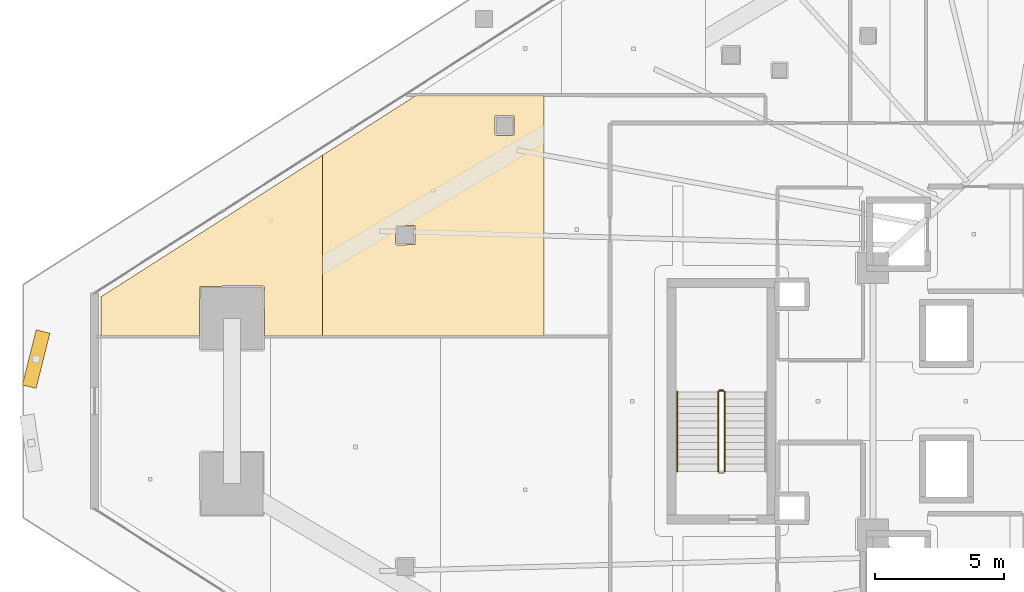
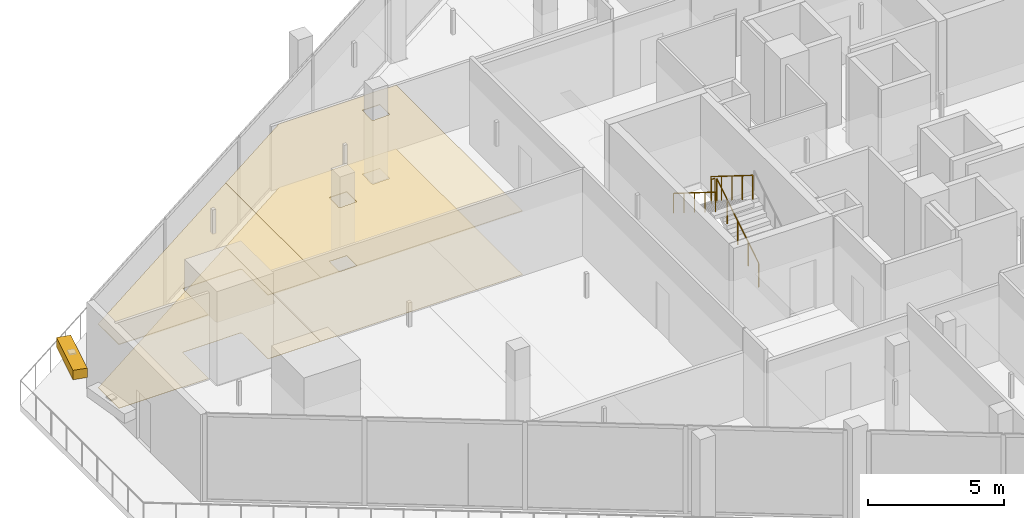
# One storey, part 40 of 44: 4 coverings, 4 railings, 1 shading device.
"""IFC4 building model written with IfcOpenShell, lengths in metres."""

from ifc_helpers import new_model, si_unit, direction, frame, origin, origin_2d, place, context, subcontext, project, spatial, polyline, rectangle, circle, outline, extrude, material, layer, layer_set, type_object, element, save


model = new_model("IFC4")

# Units and contexts
model_context = context("Model", 3, precision=1e-05, world=origin(), true_north=direction((0.0, 1.0)))
body_context = subcontext(model_context, "Body", "Model", "MODEL_VIEW")
ifc_project = project(units=[si_unit("LENGTHUNIT", "METRE"), si_unit("AREAUNIT", "SQUARE_METRE"), si_unit("VOLUMEUNIT", "CUBIC_METRE"), si_unit("PLANEANGLEUNIT", "RADIAN"), si_unit("MASSUNIT", "GRAM", prefix="KILO")], contexts=[model_context])

# Site, building, storey
site_placement = place(None, origin())
site = spatial("IfcSite", under=ifc_project, at=site_placement, CompositionType="ELEMENT")
building_placement = place(site_placement, origin())
building = spatial("IfcBuilding", under=site, at=building_placement, Name="Qorvath Tower", CompositionType="ELEMENT")
storey_placement = place(building_placement, frame((0.0, 0.0, 45.0)))
storey = spatial("IfcBuildingStorey", under=building, at=storey_placement, Name="L09", CompositionType="ELEMENT", Elevation=45.0)

# Coverings
ifc_material_1 = material(Name="Acoustic mineral fibre ceiling tile", Category="gypsum")
ifc_layer_1 = layer(ifc_material_1, 0.030029296875)
ifc_layer_set_1 = layer_set([ifc_layer_1], Name="COV-CEIL")
covering_type_1 = type_object("IfcCoveringType", Name="COV-CEIL", PredefinedType="CEILING", material=ifc_layer_set_1)
covering_1_placement = place(storey_placement, frame((0.0, 0.0, 2.85009765625)))
element("IfcCovering", 1, at=covering_1_placement, inside=storey, type_object=covering_type_1, Name="L09 Suspended Acoustic Ceiling 045", PredefinedType="CEILING", context=body_context, shape_type="SweptSolid", body=[
    extrude(outline(polyline([(-60.345947265625, 4.036376953125), (-60.345947265625, 2.512451171875), (-56.54296875, 2.512451171875), (-56.525390625, 4.43701171875), (-54.0830078125, 4.45458984375), (-54.02294921875, 4.39453125), (-54.02294921875, 2.512451171875), (-51.784912109375, 2.512451171875), (-51.784912109375, 9.508056640625), (-60.345947265625, 4.036376953125)])), origin(), (0.0, 0.0, 1.0), 0.030029296875),
])
covering_2_placement = place(storey_placement, frame((0.0, 0.0, 2.85009765625)))
element("IfcCovering", 2, at=covering_2_placement, inside=storey, type_object=covering_type_1, Name="L09 Suspended Acoustic Ceiling 046", PredefinedType="CEILING", context=body_context, shape_type="SweptSolid", body=[
    extrude(outline(polyline([(-51.784912109375, 9.508056640625), (-51.784912109375, 2.512451171875), (-43.22412109375, 2.512451171875), (-43.22412109375, 11.822998046875), (-48.15673828125, 11.826904296875), (-51.784912109375, 9.508056640625)]), holes=[polyline([(-45.121337890625, 10.327392578125), (-45.103759765625, 11.019775390625), (-44.368896484375, 11.019775390625), (-44.368896484375, 10.284912109375), (-45.061279296875, 10.267333984375), (-45.121337890625, 10.327392578125)]), polyline([(-48.96337890625, 6.099609375), (-48.94580078125, 6.7919921875), (-48.2109375, 6.7919921875), (-48.2109375, 6.05712890625), (-48.9033203125, 6.03955078125), (-48.96337890625, 6.099609375)])]), origin(), (0.0, 0.0, 1.0), 0.030029296875),
])
ifc_material_2 = material(Name="Low-VOC modular carpet tile", Category="textile")
ifc_layer_2 = layer(ifc_material_2, 0.014892578125)
ifc_layer_set_2 = layer_set([ifc_layer_2], Name="COV-FLOOR-CPT")
covering_type_2 = type_object("IfcCoveringType", Name="COV-FLOOR-CPT", PredefinedType="FLOORING", material=ifc_layer_set_2)
covering_3_placement = place(storey_placement, origin())
element("IfcCovering", 3, at=covering_3_placement, inside=storey, type_object=covering_type_2, Name="L09 Floor Finish 045", PredefinedType="FLOORING", context=body_context, shape_type="SweptSolid", body=[
    extrude(outline(polyline([(-60.345947265625, 4.036376953125), (-60.345947265625, 2.512451171875), (-56.54296875, 2.512451171875), (-56.525390625, 4.43701171875), (-54.0830078125, 4.45458984375), (-54.02294921875, 4.39453125), (-54.02294921875, 2.512451171875), (-51.784912109375, 2.512451171875), (-51.784912109375, 9.508056640625), (-60.345947265625, 4.036376953125)])), origin(), (0.0, 0.0, 1.0), 0.014892578125),
])
covering_4_placement = place(storey_placement, origin())
element("IfcCovering", 4, at=covering_4_placement, inside=storey, type_object=covering_type_2, Name="L09 Floor Finish 046", PredefinedType="FLOORING", context=body_context, shape_type="SweptSolid", body=[
    extrude(outline(polyline([(-51.784912109375, 9.508056640625), (-51.784912109375, 2.512451171875), (-43.22412109375, 2.512451171875), (-43.22412109375, 11.822998046875), (-48.15673828125, 11.826904296875), (-51.784912109375, 9.508056640625)]), holes=[polyline([(-45.121337890625, 10.327392578125), (-45.103759765625, 11.019775390625), (-44.368896484375, 11.019775390625), (-44.368896484375, 10.284912109375), (-45.061279296875, 10.267333984375), (-45.121337890625, 10.327392578125)]), polyline([(-48.96337890625, 6.099609375), (-48.94580078125, 6.7919921875), (-48.2109375, 6.7919921875), (-48.2109375, 6.05712890625), (-48.9033203125, 6.03955078125), (-48.96337890625, 6.099609375)])]), origin(), (0.0, 0.0, 1.0), 0.014892578125),
])

# Railings
ifc_material_3 = material(Name="Painted galvanised steel", Category="steel")
railing_type_1 = type_object("IfcRailingType", Name="RL-STR-GRD", PredefinedType="GUARDRAIL", material=ifc_material_3)
railing_1_placement = place(storey_placement, frame((-36.22998046875, -2.719970703125, 0.175048828125)))
element("IfcRailing", 5, at=railing_1_placement, inside=storey, type_object=railing_type_1, Name="L09 TS3 stair guard 1", PredefinedType="GUARDRAIL", context=body_context, shape_type="SweptSolid", body=[
    extrude(circle(Radius=0.02392578125, at=origin_2d()), frame((0.0, 0.0, 1.076171875), z_axis=(0.0, 0.847998304005, 0.529998940003), x_axis=(-1.0, 0.0, 0.0)), (0.0, 0.0, 1.0), 3.632080078125),
    extrude(circle(Radius=0.02099609375, at=origin_2d()), origin(), (0.0, 0.0, 1.0), 1.052001953125),
    extrude(circle(Radius=0.02099609375, at=origin_2d()), frame((0.0, 0.77001953125, 0.481201171875)), (0.0, 0.0, 1.0), 1.052001953125),
    extrude(circle(Radius=0.02099609375, at=origin_2d()), frame((0.0, 1.5400390625, 0.96240234375)), (0.0, 0.0, 1.0), 1.052001953125),
    extrude(circle(Radius=0.02099609375, at=origin_2d()), frame((0.0, 2.31005859375, 1.44384765625)), (0.0, 0.0, 1.0), 1.052001953125),
    extrude(circle(Radius=0.02099609375, at=origin_2d()), frame((0.0, 3.080078125, 1.925048828125)), (0.0, 0.0, 1.0), 1.052001953125),
])
railing_2_placement = place(storey_placement, frame((-36.280029296875, 0.409912109375, 2.10009765625)))
element("IfcRailing", 6, at=railing_2_placement, inside=storey, type_object=railing_type_1, Name="L09 TS3 stair guard 2", PredefinedType="GUARDRAIL", context=body_context, shape_type="SweptSolid", body=[
    extrude(circle(Radius=0.02392578125, at=origin_2d()), frame((0.0, 0.0, 1.076171875), z_axis=(-1.0, 0.0, 0.0), x_axis=(0.0, -1.0, 0.0)), (0.0, 0.0, 1.0), 0.14990234375),
    extrude(circle(Radius=0.02099609375, at=origin_2d()), origin(), (0.0, 0.0, 1.0), 1.052001953125),
    extrude(circle(Radius=0.02099609375, at=origin_2d()), frame((-0.14990234375, 0.0, 0.0)), (0.0, 0.0, 1.0), 1.052001953125),
])
railing_3_placement = place(storey_placement, frame((-36.47998046875, 0.360107421875, 2.27490234375)))
element("IfcRailing", 7, at=railing_3_placement, inside=storey, type_object=railing_type_1, Name="L09 TS3 stair guard 3", PredefinedType="GUARDRAIL", context=body_context, shape_type="SweptSolid", body=[
    extrude(circle(Radius=0.02392578125, at=origin_2d()), frame((0.0, 0.0, 1.076171875), z_axis=(0.0, -0.847998304005, 0.529998940003), x_axis=(1.0, 0.0, 0.0)), (0.0, 0.0, 1.0), 3.632080078125),
    extrude(circle(Radius=0.02099609375, at=origin_2d()), origin(), (0.0, 0.0, 1.0), 1.052001953125),
    extrude(circle(Radius=0.02099609375, at=origin_2d()), frame((0.0, -0.77001953125, 0.481201171875)), (0.0, 0.0, 1.0), 1.052001953125),
    extrude(circle(Radius=0.02099609375, at=origin_2d()), frame((0.0, -1.5400390625, 0.96240234375)), (0.0, 0.0, 1.0), 1.052001953125),
    extrude(circle(Radius=0.02099609375, at=origin_2d()), frame((0.0, -2.31005859375, 1.44384765625)), (0.0, 0.0, 1.0), 1.052001953125),
    extrude(circle(Radius=0.02099609375, at=origin_2d()), frame((0.0, -3.080078125, 1.925048828125)), (0.0, 0.0, 1.0), 1.052001953125),
])
ifc_material_4 = material(Name="Brushed stainless steel AISI 304", Category="steel")
railing_type_2 = type_object("IfcRailingType", Name="RL-STR-HND", PredefinedType="HANDRAIL", material=ifc_material_4)
railing_4_placement = place(storey_placement, frame((-38.06005859375, 0.360107421875, 2.27490234375)))
element("IfcRailing", 8, at=railing_4_placement, inside=storey, type_object=railing_type_2, Name="L09 TS3 stair handrail 2", PredefinedType="HANDRAIL", context=body_context, shape_type="SweptSolid", body=[
    extrude(circle(Radius=0.02392578125, at=origin_2d()), frame((0.0, 0.0, 0.8759765625), z_axis=(0.0, -0.847998304005, 0.529998940003), x_axis=(1.0, 0.0, 0.0)), (0.0, 0.0, 1.0), 3.632080078125),
    extrude(circle(Radius=0.02099609375, at=origin_2d()), origin(), (0.0, 0.0, 1.0), 0.851806640625),
    extrude(circle(Radius=0.02099609375, at=origin_2d()), frame((0.0, -0.77001953125, 0.481201171875)), (0.0, 0.0, 1.0), 0.851806640625),
    extrude(circle(Radius=0.02099609375, at=origin_2d()), frame((0.0, -1.5400390625, 0.96240234375)), (0.0, 0.0, 1.0), 0.851806640625),
    extrude(circle(Radius=0.02099609375, at=origin_2d()), frame((0.0, -2.31005859375, 1.44384765625)), (0.0, 0.0, 1.0), 0.851806640625),
    extrude(circle(Radius=0.02099609375, at=origin_2d()), frame((0.0, -3.080078125, 1.925048828125)), (0.0, 0.0, 1.0), 0.851806640625),
])

# Shading device
ifc_material_5 = material(Name="Anodised bronze-champagne aluminium", Category="aluminium")
shading_device_type = type_object("IfcShadingDeviceType", Name="SD-LOUVRE", PredefinedType="JALOUSIE", material=ifc_material_5)
shading_device_placement = place(storey_placement, frame((-62.855712890625, 1.62353515625, 3.5), z_axis=(0.0, 0.0, 1.0), x_axis=(-0.242352017134, -0.970188383661, 0.0)))
element("IfcShadingDevice", 9, at=shading_device_placement, inside=storey, type_object=shading_device_type, Name="Sinusoidal Wave Louvre Blade L09-01", PredefinedType="NOTDEFINED", context=body_context, shape_type="SweptSolid", body=[
    extrude(rectangle(XDim=2.199951171875, YDim=0.550048828125, at=origin_2d()), origin(), (0.0, 0.0, 1.0), 0.419921875),
])

save(model, "model.ifc")
